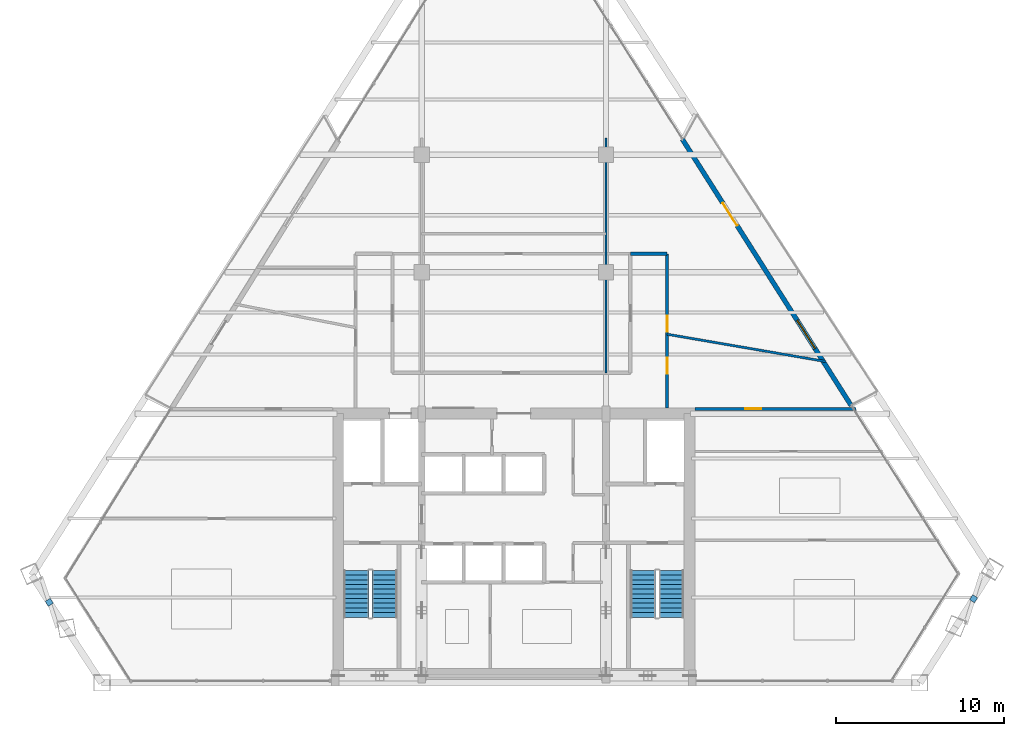
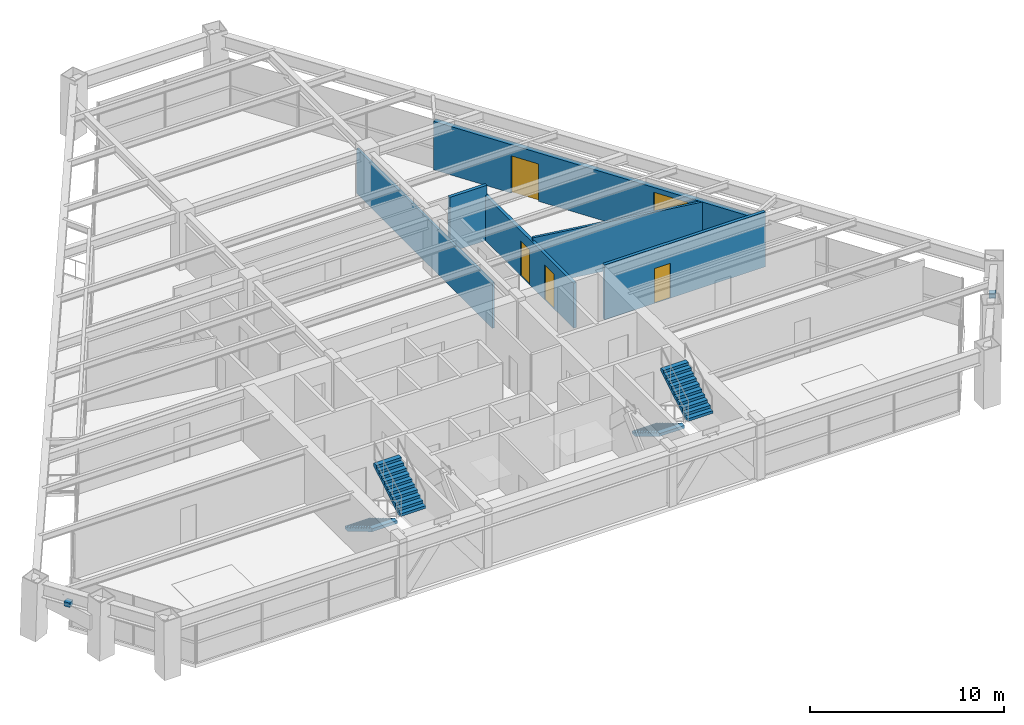
# One storey, part 13 of 15: 6 walls, 4 doors, 4 stair flights, 2 discrete accessories, 1 window, 5 openings, 2 elements without a shape of their own.
"""IFC4 building model written with IfcOpenShell, lengths in metres."""

from ifc_helpers import new_model, si_unit, direction, frame, frame_2d, origin, origin_2d, place, context, subcontext, project, spatial, polyline, rectangle, outline, extrude, source, transform, mapped, material, layer, layer_set, type_object, type_shapes, element, fill, aggregate, save


model = new_model("IFC4")

# Units and contexts
model_context = context("Model", 3, precision=1e-05, world=origin(), true_north=direction((0.0, 1.0)))
body_context = subcontext(model_context, "Body", "Model", "MODEL_VIEW")
ifc_project = project(units=[si_unit("LENGTHUNIT", "METRE"), si_unit("AREAUNIT", "SQUARE_METRE"), si_unit("VOLUMEUNIT", "CUBIC_METRE"), si_unit("PLANEANGLEUNIT", "RADIAN"), si_unit("MASSUNIT", "GRAM", prefix="KILO")], contexts=[model_context])

# Site, building, storey
site_placement = place(None, origin())
site = spatial("IfcSite", under=ifc_project, at=site_placement, CompositionType="ELEMENT")
building_placement = place(site_placement, origin())
building = spatial("IfcBuilding", under=site, at=building_placement, Name="Varnakhor Terracotta Tower", CompositionType="ELEMENT")
storey_placement = place(building_placement, frame((0.0, 0.0, 182.10009765625)))
storey = spatial("IfcBuildingStorey", under=building, at=storey_placement, Name="L46", CompositionType="ELEMENT", Elevation=182.10009765625)

# Wall, openings, doors
ifc_material_1 = material(Name="Fire-Rated Gypsum Stud Partition", Category="gypsum")
ifc_layer_1 = layer(ifc_material_1, 0.18505859375, Name="Fire-Rated Gypsum Stud Partition")
ifc_layer_set_1 = layer_set([ifc_layer_1], Name="Fire-Rated Gypsum Stud Partition")
wall_type_1 = type_object("IfcWallType", Name="WAL-CORR-185", PredefinedType="PARTITIONING", material=ifc_layer_set_1)
wall_1_placement = place(storey_placement, frame((9.14990234375, 16.39990234375, 0.0), z_axis=(0.0, 0.0, 1.0), x_axis=(0.0, 1.0, 0.0)))
wall_1 = element("IfcWall", 1, at=wall_1_placement, inside=storey, type_object=wall_type_1, Name="L46 East Gallery Outer Wall", PredefinedType="PARTITIONING", context=body_context, shape_type="SweptSolid", body=[
    extrude(rectangle(XDim=9.2001953125, YDim=0.18505859375, at=frame_2d((4.60009765625, 0.0))), origin(), (0.0, 0.0, 1.0), 2.845947265625),
])
opening_1_placement = place(wall_1_placement, frame((4.551025390625, 0.0, 0.0)))
opening_1 = element("IfcOpeningElement", 2, at=opening_1_placement, cuts=wall_1, Name="Opening DR-94", PredefinedType="OPENING", context=body_context, shape_type="SweptSolid", body=[
    extrude(rectangle(XDim=0.949951171875, YDim=2.199951171875, at=frame_2d((0.47509765625, 1.10009765625))), frame((0.0, 0.1025390625, 0.0), z_axis=(0.0, -1.0, 0.0), x_axis=(1.0, 0.0, 0.0)), (0.0, 0.0, 1.0), 0.205078125),
])
opening_2_placement = place(wall_1_placement, frame((2.04052734375, 0.0, 0.0)))
opening_2 = element("IfcOpeningElement", 3, at=opening_2_placement, cuts=wall_1, Name="Opening DR-94", PredefinedType="OPENING", context=body_context, shape_type="SweptSolid", body=[
    extrude(rectangle(XDim=0.949951171875, YDim=2.199951171875, at=frame_2d((0.47509765625, 1.10009765625))), frame((0.0, 0.1025390625, 0.0), z_axis=(0.0, -1.0, 0.0), x_axis=(1.0, 0.0, 0.0)), (0.0, 0.0, 1.0), 0.205078125),
])
ifc_material_2 = material(Name="Acoustic Glazed-Vision Timber Office Door", Category="wood")
door_type_1 = type_object("IfcDoorType", Name="DR-OFF-950X2200", OperationType="NOTDEFINED", PredefinedType="DOOR", material=ifc_material_2)
shared_shape_1 = source(origin(), body_context, "Body", "SweptSolid", [
    extrude(rectangle(XDim=0.949951171875, YDim=2.199951171875, at=frame_2d((0.47509765625, 1.10009765625))), frame((0.0, 0.02490234375, 0.0), z_axis=(0.0, -1.0, 0.0), x_axis=(1.0, 0.0, 0.0)), (0.0, 0.0, 1.0), 0.050048828125),
])
type_shapes(door_type_1, [shared_shape_1])
door_1_placement = place(opening_1_placement, origin())
door_1 = element("IfcDoor", 4, at=door_1_placement, inside=storey, type_object=door_type_1, Name="L46 East Wing Door", OperationType="SINGLE_SWING_RIGHT", OverallHeight=2.199951171875, OverallWidth=0.949951171875, PredefinedType="DOOR", context=body_context, shape_type="MappedRepresentation", body=[
    mapped(shared_shape_1, transform((0.0, 0.0, 0.0), scale=1.0)),
])
fill(opening_1, door_1)
door_2_placement = place(opening_2_placement, origin())
door_2 = element("IfcDoor", 5, at=door_2_placement, inside=storey, type_object=door_type_1, Name="L46 Client Lounge B6 Door", OperationType="SINGLE_SWING_RIGHT", OverallHeight=2.199951171875, OverallWidth=0.949951171875, PredefinedType="DOOR", context=body_context, shape_type="MappedRepresentation", body=[
    mapped(shared_shape_1, transform((0.0, 0.0, 0.0), scale=1.0)),
])
fill(opening_2, door_2)

# Wall
wall_2_placement = place(storey_placement, frame((6.949951171875, 25.60009765625, 0.0), z_axis=(0.0, 0.0, 1.0), x_axis=(1.0, 0.0, 0.0)))
element("IfcWall", 6, at=wall_2_placement, inside=storey, type_object=wall_type_1, Name="L46 East Gallery North End", PredefinedType="PARTITIONING", context=body_context, shape_type="SweptSolid", body=[
    extrude(rectangle(XDim=2.199951171875, YDim=0.18505859375, at=frame_2d((1.10009765625, 0.0))), origin(), (0.0, 0.0, 1.0), 3.4619140625),
])

# Wall, opening, door
wall_3_placement = place(storey_placement, frame((10.820068359375, 16.35009765625, 0.0), z_axis=(0.0, 0.0, 1.0), x_axis=(1.0, 0.0, 0.0)))
wall_3 = element("IfcWall", 7, at=wall_3_placement, inside=storey, type_object=wall_type_1, Name="L46 South East Entry Wall", PredefinedType="PARTITIONING", context=body_context, shape_type="SweptSolid", body=[
    extrude(rectangle(XDim=9.588134765625, YDim=0.18505859375, at=frame_2d((4.7939453125, 0.0))), origin(), (0.0, 0.0, 1.0), 3.4619140625),
])
opening_3_placement = place(wall_3_placement, frame((2.98291015625, 0.0, 0.0)))
opening_3 = element("IfcOpeningElement", 8, at=opening_3_placement, cuts=wall_3, Name="Opening DR-94", PredefinedType="OPENING", context=body_context, shape_type="SweptSolid", body=[
    extrude(rectangle(XDim=0.949951171875, YDim=2.199951171875, at=frame_2d((0.47509765625, 1.10009765625))), frame((0.0, 0.1025390625, 0.0), z_axis=(0.0, -1.0, 0.0), x_axis=(1.0, 0.0, 0.0)), (0.0, 0.0, 1.0), 0.205078125),
])
door_3_placement = place(opening_3_placement, origin())
door_3 = element("IfcDoor", 9, at=door_3_placement, inside=storey, type_object=door_type_1, Name="L46 SE Suite Door", OperationType="SINGLE_SWING_RIGHT", OverallHeight=2.199951171875, OverallWidth=0.949951171875, PredefinedType="DOOR", context=body_context, shape_type="MappedRepresentation", body=[
    mapped(shared_shape_1, transform((0.0, 0.0, 0.0), scale=1.0)),
])
fill(opening_3, door_3)

# Wall, openings, door, window
ifc_material_3 = material(Name="Extruded Architectural Terracotta Assembly", Category="masonry")
ifc_layer_2 = layer(ifc_material_3, 0.280029296875, Name="Extruded Architectural Terracotta Assembly")
ifc_layer_set_2 = layer_set([ifc_layer_2], Name="Extruded Architectural Terracotta Assembly")
wall_type_2 = type_object("IfcWallType", Name="WAL-EXT-TERRACOTTA-280", PredefinedType="SOLIDWALL", material=ifc_layer_set_2)
wall_4_placement = place(storey_placement, frame((10.053955078125, 32.44287109375, 0.0), z_axis=(0.0, 0.0, 1.0), x_axis=(0.535358537379, -0.844624908735, 0.0)))
wall_4 = element("IfcWall", 10, at=wall_4_placement, inside=storey, type_object=wall_type_2, Name="L46 E Loggia Insulated Terracotta Wall", PredefinedType="SOLIDWALL", context=body_context, shape_type="SweptSolid", body=[
    extrude(rectangle(XDim=18.818115234375, YDim=0.280029296875, at=frame_2d((9.4091796875, 0.0))), origin(), (0.0, 0.0, 1.0), 3.0498046875),
])
opening_4_placement = place(wall_4_placement, frame((4.516357421875, 0.0, 0.0)))
opening_4 = element("IfcOpeningElement", 11, at=opening_4_placement, cuts=wall_4, Name="Opening DR-62", PredefinedType="OPENING", context=body_context, shape_type="SweptSolid", body=[
    extrude(rectangle(XDim=1.60009765625, YDim=2.35009765625, at=frame_2d((0.800048828125, 1.175048828125))), frame((0.0, 0.14990234375, 0.0), z_axis=(0.0, -1.0, 0.0), x_axis=(1.0, 0.0, 0.0)), (0.0, 0.0, 1.0), 0.300048828125),
])
opening_5_placement = place(wall_4_placement, frame((12.79638671875, 0.0, 0.89990234375)))
opening_5 = element("IfcOpeningElement", 12, at=opening_5_placement, cuts=wall_4, Name="Opening WN-26", PredefinedType="OPENING", context=body_context, shape_type="SweptSolid", body=[
    extrude(rectangle(XDim=2.0, YDim=1.85009765625, at=frame_2d((1.0, 0.925048828125))), frame((0.0, 0.14990234375, 0.0), z_axis=(0.0, -1.0, 0.0), x_axis=(1.0, 0.0, 0.0)), (0.0, 0.0, 1.0), 0.300048828125),
])
ifc_material_4 = material(Name="Thermally Broken Sliding Glass Loggia Door", Category="glass")
door_type_2 = type_object("IfcDoorType", Name="DR-EXT-LOGGIA-1600X2350", OperationType="NOTDEFINED", PredefinedType="DOOR", material=ifc_material_4)
shared_shape_2 = source(origin(), body_context, "Body", "SweptSolid", [
    extrude(rectangle(XDim=1.60009765625, YDim=2.35009765625, at=frame_2d((0.800048828125, 1.175048828125))), frame((0.0, 0.02490234375, 0.0), z_axis=(0.0, -1.0, 0.0), x_axis=(1.0, 0.0, 0.0)), (0.0, 0.0, 1.0), 0.050048828125),
])
type_shapes(door_type_2, [shared_shape_2])
door_4_placement = place(opening_4_placement, origin())
door_4 = element("IfcDoor", 13, at=door_4_placement, inside=storey, type_object=door_type_2, Name="L46 E Recessed Loggia Sliding Door", OperationType="SLIDING_TO_RIGHT", OverallHeight=2.35009765625, OverallWidth=1.60009765625, PredefinedType="DOOR", context=body_context, shape_type="MappedRepresentation", body=[
    mapped(shared_shape_2, transform((0.0, 0.0, 0.0), scale=1.0)),
])
fill(opening_4, door_4)
ifc_material_5 = material(Name="Solar-Control Low-E Insulated Glass Unit", Category="glass")
window_type = type_object("IfcWindowType", Name="WIN-OFF-2200X2100", PartitioningType="SINGLE_PANEL", PredefinedType="WINDOW", material=ifc_material_5)
shared_shape_3 = source(origin(), body_context, "Body", "SweptSolid", [
    extrude(rectangle(XDim=2.0, YDim=1.85009765625, at=frame_2d((1.0, 0.925048828125))), frame((0.0, 0.030029296875, 0.0), z_axis=(0.0, -1.0, 0.0), x_axis=(1.0, 0.0, 0.0)), (0.0, 0.0, 1.0), 0.06005859375),
])
type_shapes(window_type, [shared_shape_3])
window_placement = place(opening_5_placement, origin())
window = element("IfcWindow", 14, at=window_placement, inside=storey, type_object=window_type, Name="L46 E Facet Punched Window", OverallHeight=1.85009765625, OverallWidth=2.0, PartitioningType="SINGLE_PANEL", PredefinedType="WINDOW", context=body_context, shape_type="MappedRepresentation", body=[
    mapped(shared_shape_3, transform((0.0, 0.0, 0.0), scale=1.0)),
])
fill(opening_5, window)

# Walls
ifc_material_6 = material(Name="Acoustic Metal-Stud Partition", Category="gypsum")
ifc_layer_3 = layer(ifc_material_6, 0.139892578125, Name="Acoustic Metal-Stud Partition")
ifc_layer_set_3 = layer_set([ifc_layer_3], Name="Acoustic Metal-Stud Partition")
wall_type_3 = type_object("IfcWallType", Name="WAL-PART-140", PredefinedType="PARTITIONING", material=ifc_layer_set_3)
wall_5_placement = place(storey_placement, frame((5.5, 18.5, 0.0), z_axis=(0.0, 0.0, 1.0), x_axis=(0.0, 1.0, 0.0)))
element("IfcWall", 15, at=wall_5_placement, inside=storey, type_object=wall_type_3, Name="L46 Center East Column Wall", PredefinedType="PARTITIONING", context=body_context, shape_type="SweptSolid", body=[
    extrude(rectangle(XDim=14.0, YDim=0.139892578125, at=frame_2d((7.0, 0.0))), origin(), (0.0, 0.0, 1.0), 2.845947265625),
])
wall_6_placement = place(storey_placement, frame((9.14990234375, 20.800048828125, 0.0), z_axis=(0.0, 0.0, 1.0), x_axis=(0.985515802889, -0.169583614351, 0.0)))
element("IfcWall", 16, at=wall_6_placement, inside=storey, type_object=wall_type_3, Name="L46 East Wing Cut 3", PredefinedType="PARTITIONING", context=body_context, shape_type="SweptSolid", body=[
    extrude(rectangle(XDim=9.609619140625, YDim=0.139892578125, at=frame_2d((4.8046875, 0.0))), origin(), (0.0, 0.0, 1.0), 3.048828125),
])

# Stair, stair flights
ifc_material_7 = material(Name="Concrete C40/50", Category="concrete")
stair_type = type_object("IfcStairType", Name="STR-CORE-OFFICE-1500", PredefinedType="HALF_TURN_STAIR", material=ifc_material_7)
stair_1_placement = place(storey_placement, origin())
stair_1 = element("IfcStair", 17, at=stair_1_placement, inside=storey, type_object=stair_type, Name="L46 Core Exit Stair ST-1", PredefinedType="HALF_TURN_STAIR")
stair_flight_type = type_object("IfcStairFlightType", Name="FLT-CORE-1500", PredefinedType="STRAIGHT", material=ifc_material_7)
stair_flight_1_placement = place(storey_placement, frame((-9.39990234375, 6.7099609375, 0.0), z_axis=(0.0, 0.0, 1.0), x_axis=(0.0, -1.0, 0.0)))
stair_flight_1 = element("IfcStairFlight", 18, at=stair_flight_1_placement, type_object=stair_flight_type, Name="ST-1 flight 1", NumberOfRisers=11, NumberOfTreads=10, PredefinedType="STRAIGHT", RiserHeight=0.168181818, TreadLength=0.28, context=body_context, shape_type="SweptSolid", body=[
    extrude(outline(polyline([(0.0, 0.0), (0.0, 0.168212890625), (0.280029296875, 0.168212890625), (0.280029296875, 0.33642578125), (0.56005859375, 0.33642578125), (0.56005859375, 0.504638671875), (0.840087890625, 0.504638671875), (0.840087890625, 0.672607421875), (1.1201171875, 0.672607421875), (1.1201171875, 0.8408203125), (1.39990234375, 0.8408203125), (1.39990234375, 1.009033203125), (1.679931640625, 1.009033203125), (1.679931640625, 1.17724609375), (1.9599609375, 1.17724609375), (1.9599609375, 1.345458984375), (2.239990234375, 1.345458984375), (2.239990234375, 1.513671875), (2.52001953125, 1.513671875), (2.52001953125, 1.681884765625), (2.800048828125, 1.681884765625), (2.800048828125, 1.85009765625), (2.800048828125, 1.495361328125), (0.310546875, 0.0), (0.0, 0.0)])), frame((0.0, 0.75, 0.0), z_axis=(0.0, -1.0, 0.0), x_axis=(1.0, 0.0, 0.0)), (0.0, 0.0, 1.0), 1.5),
])
stair_flight_2_placement = place(storey_placement, frame((-7.699951171875, 3.909912109375, 1.849853515625), z_axis=(0.0, 0.0, 1.0), x_axis=(0.0, 1.0, 0.0)))
stair_flight_2 = element("IfcStairFlight", 19, at=stair_flight_2_placement, type_object=stair_flight_type, Name="ST-1 flight 2", NumberOfRisers=11, NumberOfTreads=10, PredefinedType="STRAIGHT", RiserHeight=0.168181818, TreadLength=0.28, context=body_context, shape_type="SweptSolid", body=[
    extrude(outline(polyline([(0.0, 0.0), (0.0, 0.168212890625), (0.280029296875, 0.168212890625), (0.280029296875, 0.33642578125), (0.56005859375, 0.33642578125), (0.56005859375, 0.504638671875), (0.840087890625, 0.504638671875), (0.840087890625, 0.672607421875), (1.1201171875, 0.672607421875), (1.1201171875, 0.8408203125), (1.39990234375, 0.8408203125), (1.39990234375, 1.009033203125), (1.679931640625, 1.009033203125), (1.679931640625, 1.17724609375), (1.9599609375, 1.17724609375), (1.9599609375, 1.345458984375), (2.239990234375, 1.345458984375), (2.239990234375, 1.513671875), (2.52001953125, 1.513671875), (2.52001953125, 1.681884765625), (2.800048828125, 1.681884765625), (2.800048828125, 1.85009765625), (2.800048828125, 1.495361328125), (0.310546875, 0.0), (0.0, 0.0)])), frame((0.0, 0.75, 0.0), z_axis=(0.0, -1.0, 0.0), x_axis=(1.0, 0.0, 0.0)), (0.0, 0.0, 1.0), 1.5),
])
aggregate(stair_1, [stair_flight_1, stair_flight_2])

stair_2_placement = place(storey_placement, origin())
stair_2 = element("IfcStair", 20, at=stair_2_placement, inside=storey, type_object=stair_type, Name="L46 Core Exit Stair ST-2", PredefinedType="HALF_TURN_STAIR")
stair_flight_3_placement = place(storey_placement, frame((7.699951171875, 6.7099609375, 0.0), z_axis=(0.0, 0.0, 1.0), x_axis=(0.0, -1.0, 0.0)))
stair_flight_3 = element("IfcStairFlight", 21, at=stair_flight_3_placement, type_object=stair_flight_type, Name="ST-2 flight 1", NumberOfRisers=11, NumberOfTreads=10, PredefinedType="STRAIGHT", RiserHeight=0.168181818, TreadLength=0.28, context=body_context, shape_type="SweptSolid", body=[
    extrude(outline(polyline([(0.0, 0.0), (0.0, 0.168212890625), (0.280029296875, 0.168212890625), (0.280029296875, 0.33642578125), (0.56005859375, 0.33642578125), (0.56005859375, 0.504638671875), (0.840087890625, 0.504638671875), (0.840087890625, 0.672607421875), (1.1201171875, 0.672607421875), (1.1201171875, 0.8408203125), (1.39990234375, 0.8408203125), (1.39990234375, 1.009033203125), (1.679931640625, 1.009033203125), (1.679931640625, 1.17724609375), (1.9599609375, 1.17724609375), (1.9599609375, 1.345458984375), (2.239990234375, 1.345458984375), (2.239990234375, 1.513671875), (2.52001953125, 1.513671875), (2.52001953125, 1.681884765625), (2.800048828125, 1.681884765625), (2.800048828125, 1.85009765625), (2.800048828125, 1.495361328125), (0.310546875, 0.0), (0.0, 0.0)])), frame((0.0, 0.75, 0.0), z_axis=(0.0, -1.0, 0.0), x_axis=(1.0, 0.0, 0.0)), (0.0, 0.0, 1.0), 1.5),
])
stair_flight_4_placement = place(storey_placement, frame((9.39990234375, 3.909912109375, 1.849853515625), z_axis=(0.0, 0.0, 1.0), x_axis=(0.0, 1.0, 0.0)))
stair_flight_4 = element("IfcStairFlight", 22, at=stair_flight_4_placement, type_object=stair_flight_type, Name="ST-2 flight 2", NumberOfRisers=11, NumberOfTreads=10, PredefinedType="STRAIGHT", RiserHeight=0.168181818, TreadLength=0.28, context=body_context, shape_type="SweptSolid", body=[
    extrude(outline(polyline([(0.0, 0.0), (0.0, 0.168212890625), (0.280029296875, 0.168212890625), (0.280029296875, 0.33642578125), (0.56005859375, 0.33642578125), (0.56005859375, 0.504638671875), (0.840087890625, 0.504638671875), (0.840087890625, 0.672607421875), (1.1201171875, 0.672607421875), (1.1201171875, 0.8408203125), (1.39990234375, 0.8408203125), (1.39990234375, 1.009033203125), (1.679931640625, 1.009033203125), (1.679931640625, 1.17724609375), (1.9599609375, 1.17724609375), (1.9599609375, 1.345458984375), (2.239990234375, 1.345458984375), (2.239990234375, 1.513671875), (2.52001953125, 1.513671875), (2.52001953125, 1.681884765625), (2.800048828125, 1.681884765625), (2.800048828125, 1.85009765625), (2.800048828125, 1.495361328125), (0.310546875, 0.0), (0.0, 0.0)])), frame((0.0, 0.75, 0.0), z_axis=(0.0, -1.0, 0.0), x_axis=(1.0, 0.0, 0.0)), (0.0, 0.0, 1.0), 1.5),
])
aggregate(stair_2, [stair_flight_3, stair_flight_4])

# Discrete accessories
ifc_material_8 = material(Name="Stainless Steel Fixing Bracket", Category="steel")
discrete_accessory_type = type_object("IfcDiscreteAccessoryType", Name="BRACKET-TERRACOTTA-SCREEN", PredefinedType="BRACKET", material=ifc_material_8)
shared_shape_4 = source(origin(), body_context, "Body", "SweptSolid", [
    extrude(rectangle(XDim=0.35009765625, YDim=0.35009765625, at=origin_2d()), origin(), (0.0, 0.0, 1.0), 0.280029296875),
])
type_shapes(discrete_accessory_type, [shared_shape_4])
for number, where, z_axis, x_axis, name in (
    (23, (27.435302734375, 5.0146484375, 2.48486328125), (0.0, 0.0, 1.0), (0.537638124072, 0.843175691979, 0.0), "L46 E Screen Fixing Bracket"),
    (24, (-27.718994140625, 4.806396484375, 2.48486328125), (0.0, 0.0, 1.0), (0.544902484263, -0.838499423162, 0.0), "L46 W Screen Fixing Bracket"),
):
    element("IfcDiscreteAccessory", number, at=place(storey_placement, frame(where, z_axis=z_axis, x_axis=x_axis)), inside=storey, type_object=discrete_accessory_type, Name=name, PredefinedType="BRACKET", context=body_context, shape_type="MappedRepresentation", body=[
        mapped(shared_shape_4, transform((0.0, 0.0, 0.0), scale=1.0)),
    ])

save(model, "model.ifc")
